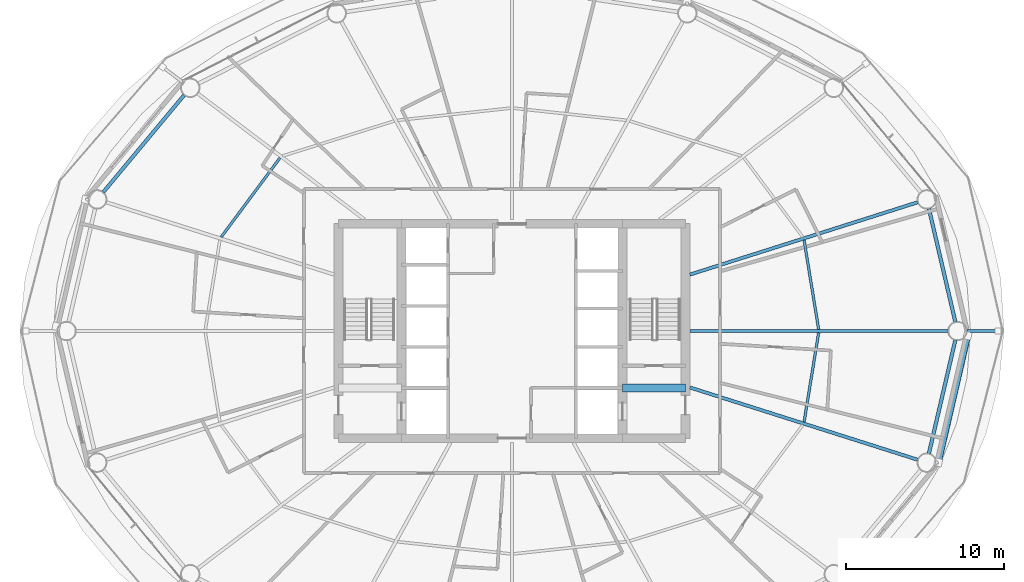
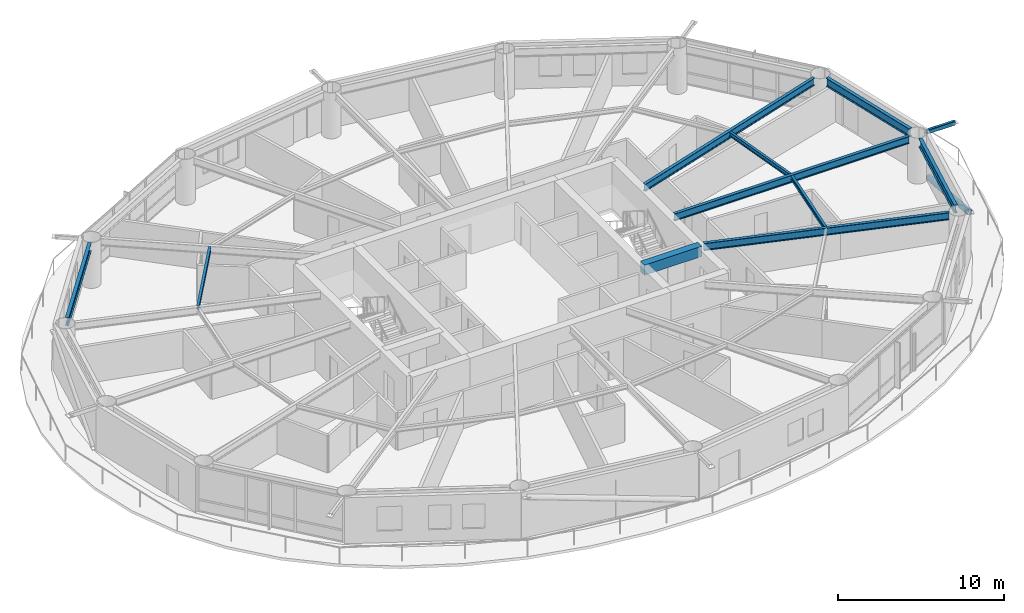
# One storey, part 7 of 24: 10 beams, 2 members.
"""IFC4 building model written with IfcOpenShell, lengths in metres."""

from ifc_helpers import new_model, si_unit, direction, frame, origin, origin_2d, place, context, subcontext, project, spatial, rectangle, hollow_rectangle, hollow_circle, i_section, extrude, material, material_profile, profile_set, type_object, element, save


model = new_model("IFC4")

# Units and contexts
model_context = context("Model", 3, precision=1e-05, world=origin(), true_north=direction((0.0, 1.0)))
body_context = subcontext(model_context, "Body", "Model", "MODEL_VIEW")
ifc_project = project(units=[si_unit("LENGTHUNIT", "METRE"), si_unit("AREAUNIT", "SQUARE_METRE"), si_unit("VOLUMEUNIT", "CUBIC_METRE"), si_unit("PLANEANGLEUNIT", "RADIAN"), si_unit("MASSUNIT", "GRAM", prefix="KILO")], contexts=[model_context])

# Site, building, storey
site_placement = place(None, origin())
site = spatial("IfcSite", under=ifc_project, at=site_placement, CompositionType="ELEMENT")
building_placement = place(site_placement, origin())
building = spatial("IfcBuilding", under=site, at=building_placement, Name="Sarneth Arch Tower", CompositionType="ELEMENT")
storey_placement = place(building_placement, frame((0.0, 0.0, 102.0)))
storey = spatial("IfcBuildingStorey", under=building, at=storey_placement, Name="L25", CompositionType="ELEMENT", Elevation=102.0)

# Beams
ifc_material_1 = material(Name="Steel S355", Category="steel")
ifc_material_profile_1 = material_profile(ifc_material_1, i_section(OverallWidth=0.1669921875, OverallDepth=0.31689453125, WebThickness=0.007568359375, FlangeThickness=0.01318359375, FilletRadius=0.012939453125, at=origin_2d()), Name="W310x52")
ifc_profile_set_1 = profile_set([ifc_material_profile_1], Name="Steel S355")
beam_type_1 = type_object("IfcBeamType", Name="BM-JOIST-310B", PredefinedType="JOIST", material=ifc_profile_set_1)
beam_1_placement = place(storey_placement, frame((67.438720703125, 42.10400390625, 3.221435546875), z_axis=(-0.16118181609, 0.986924729735, 0.0), x_axis=(-0.986924729735, -0.16118181609, 0.0)))
element("IfcBeam", 1, at=beam_1_placement, inside=storey, type_object=beam_type_1, Name="L25 Secondary floor joist 01", PredefinedType="JOIST", context=body_context, shape_type="SweptSolid", body=[
    extrude(i_section(OverallWidth=0.1669921875, OverallDepth=0.31689453125, WebThickness=0.007568359375, FlangeThickness=0.01318359375, FilletRadius=0.012939453125, at=origin_2d()), origin(), (0.0, 0.0, 1.0), 5.736083984375),
])
beam_2_placement = place(storey_placement, frame((33.296630859375, 52.9794921875, 3.221435546875), z_axis=(-0.596098474255, -0.802911333206, 0.0), x_axis=(0.802911333206, -0.596098474255, 0.0)))
element("IfcBeam", 2, at=beam_2_placement, inside=storey, type_object=beam_type_1, Name="L25 Secondary floor joist 07", PredefinedType="JOIST", context=body_context, shape_type="SweptSolid", body=[
    extrude(i_section(OverallWidth=0.1669921875, OverallDepth=0.31689453125, WebThickness=0.007568359375, FlangeThickness=0.01318359375, FilletRadius=0.012939453125, at=origin_2d()), origin(), (0.0, 0.0, 1.0), 6.259033203125),
])
beam_3_placement = place(storey_placement, frame((66.51416015625, 36.23486328125, 3.221435546875), z_axis=(0.16118181609, 0.986924729735, 0.0), x_axis=(-0.986924729735, 0.16118181609, 0.0)))
element("IfcBeam", 3, at=beam_3_placement, inside=storey, type_object=beam_type_1, Name="L25 Secondary floor joist 16", PredefinedType="JOIST", context=body_context, shape_type="SweptSolid", body=[
    extrude(i_section(OverallWidth=0.1669921875, OverallDepth=0.31689453125, WebThickness=0.007568359375, FlangeThickness=0.01318359375, FilletRadius=0.012939453125, at=origin_2d()), origin(), (0.0, 0.0, 1.0), 5.736083984375),
])
ifc_material_2 = material(Name="Concrete C50/60", Category="concrete")
ifc_material_profile_2 = material_profile(ifc_material_2, rectangle(XDim=0.5, YDim=0.75, at=origin_2d()), Name="RC-500x750")
ifc_profile_set_2 = profile_set([ifc_material_profile_2], Name="Concrete C50/60")
beam_type_2 = type_object("IfcBeamType", Name="BM-LINTEL-RC", PredefinedType="LINTEL", material=ifc_profile_set_2)
beam_4_placement = place(storey_placement, frame((55.0, 38.39990234375, 3.0048828125), z_axis=(1.0, 0.0, 0.0), x_axis=(0.0, 1.0, 0.0)))
element("IfcBeam", 4, at=beam_4_placement, inside=storey, type_object=beam_type_2, Name="L25 Core coupling lintel E", PredefinedType="LINTEL", context=body_context, shape_type="SweptSolid", body=[
    extrude(rectangle(XDim=0.5, YDim=0.75, at=origin_2d()), origin(), (0.0, 0.0, 1.0), 4.0),
])
ifc_material_3 = material(Name="Steel S355", Category="steel")
ifc_material_profile_3 = material_profile(ifc_material_3, i_section(OverallWidth=0.2109375, OverallDepth=0.5390625, WebThickness=0.01171875, FlangeThickness=0.018798828125, FilletRadius=0.01806640625, at=origin_2d()), Name="W530x109")
ifc_profile_set_3 = profile_set([ifc_material_profile_3], Name="Steel S355")
beam_type_3 = type_object("IfcBeamType", Name="BM-RAD-530B", PredefinedType="BEAM", material=ifc_profile_set_3)
beam_5_placement = place(storey_placement, frame((59.27490234375, 42.0, 3.110595703125), z_axis=(1.0, 0.0, 0.0), x_axis=(0.0, 1.0, 0.0)))
element("IfcBeam", 5, at=beam_5_placement, inside=storey, type_object=beam_type_3, Name="L25 Radial floor girder 01", PredefinedType="BEAM", context=body_context, shape_type="SweptSolid", body=[
    extrude(i_section(OverallWidth=0.2109375, OverallDepth=0.5390625, WebThickness=0.01171875, FlangeThickness=0.018798828125, FilletRadius=0.01806640625, at=origin_2d()), origin(), (0.0, 0.0, 1.0), 16.36181640625),
])
for number, where, z_axis, x_axis, name in (
    (6, (59.27490234375, 45.57763671875, 3.110595703125), (0.953162461637, 0.302458793435, 0.0), (-0.302458793435, 0.953162461637, 0.0), "L25 Radial floor girder 02"),
    (7, (59.27490234375, 38.42236328125, 3.110595703125), (0.953162461637, -0.302458793435, 0.0), (0.302458793435, 0.953162461637, 0.0), "L25 Radial floor girder 16"),
):
    element("IfcBeam", number, at=place(storey_placement, frame(where, z_axis=z_axis, x_axis=x_axis)), inside=storey, type_object=beam_type_3, Name=name, PredefinedType="BEAM", context=body_context, shape_type="SweptSolid", body=[
        extrude(i_section(OverallWidth=0.2109375, OverallDepth=0.5390625, WebThickness=0.01171875, FlangeThickness=0.018798828125, FilletRadius=0.01806640625, at=origin_2d()), origin(), (0.0, 0.0, 1.0), 15.154052734375),
    ])
ifc_material_4 = material(Name="Steel S355", Category="steel")
ifc_material_profile_4 = material_profile(ifc_material_4, i_section(OverallWidth=0.22900390625, OverallDepth=0.612060546875, WebThickness=0.011962890625, FlangeThickness=0.01953125, FilletRadius=0.01904296875, at=origin_2d()), Name="W610x125")
ifc_profile_set_4 = profile_set([ifc_material_profile_4], Name="Steel S355")
beam_type_4 = type_object("IfcBeamType", Name="BM-SPAN-610C", PredefinedType="SPANDREL", material=ifc_profile_set_4)
beam_6_placement = place(storey_placement, frame((76.100341796875, 42.584228515625, 3.073974609375), z_axis=(-0.227088175252, 0.973874201661, 0.0), x_axis=(-0.973874201661, -0.227088175252, 0.0)))
element("IfcBeam", 8, at=beam_6_placement, inside=storey, type_object=beam_type_4, Name="L25 Perimeter spandrel beam 01", PredefinedType="SPANDREL", context=body_context, shape_type="SweptSolid", body=[
    extrude(i_section(OverallWidth=0.22900390625, OverallDepth=0.612060546875, WebThickness=0.011962890625, FlangeThickness=0.01953125, FilletRadius=0.01904296875, at=origin_2d()), origin(), (0.0, 0.0, 1.0), 7.366455078125),
])
beam_7_placement = place(storey_placement, frame((27.21826171875, 56.9541015625, 3.073974609375), z_axis=(-0.640163403463, -0.768238775946, 0.0), x_axis=(0.768238775946, -0.640163403463, 0.0)))
element("IfcBeam", 9, at=beam_7_placement, inside=storey, type_object=beam_type_4, Name="L25 Perimeter spandrel beam 07", PredefinedType="SPANDREL", context=body_context, shape_type="SweptSolid", body=[
    extrude(i_section(OverallWidth=0.22900390625, OverallDepth=0.612060546875, WebThickness=0.011962890625, FlangeThickness=0.01953125, FilletRadius=0.01904296875, at=origin_2d()), origin(), (0.0, 0.0, 1.0), 8.006103515625),
])
beam_8_placement = place(storey_placement, frame((74.427490234375, 34.24169921875, 3.073974609375), z_axis=(0.227088175252, 0.973874201661, 0.0), x_axis=(-0.973874201661, 0.227088175252, 0.0)))
element("IfcBeam", 10, at=beam_8_placement, inside=storey, type_object=beam_type_4, Name="L25 Perimeter spandrel beam 16", PredefinedType="SPANDREL", context=body_context, shape_type="SweptSolid", body=[
    extrude(i_section(OverallWidth=0.22900390625, OverallDepth=0.612060546875, WebThickness=0.011962890625, FlangeThickness=0.01953125, FilletRadius=0.01904296875, at=origin_2d()), origin(), (0.0, 0.0, 1.0), 7.366455078125),
])

# Members
ifc_material_5 = material(Name="Steel S355", Category="steel")
ifc_material_profile_5 = material_profile(ifc_material_5, hollow_rectangle(XDim=0.199951171875, YDim=0.300048828125, WallThickness=0.012451171875, InnerFilletRadius=0.018798828125, OuterFilletRadius=0.03125, at=origin_2d()), Name="RHS300x200x12.5")
ifc_profile_set_5 = profile_set([ifc_material_profile_5], Name="Steel S355")
member_type_1 = type_object("IfcMemberType", Name="MEM-CANT-STRUT", PredefinedType="STRUT", material=ifc_profile_set_5)
member_1_placement = place(storey_placement, frame((76.836669921875, 42.0, 3.219970703125), z_axis=(1.0, 0.0, 0.0), x_axis=(0.0, 1.0, 0.0)))
element("IfcMember", 11, at=member_1_placement, inside=storey, type_object=member_type_1, Name="L25 Balcony cantilever bracket 01", PredefinedType="STRUT", context=body_context, shape_type="SweptSolid", body=[
    extrude(hollow_rectangle(XDim=0.199951171875, YDim=0.300048828125, WallThickness=0.012451171875, InnerFilletRadius=0.018798828125, OuterFilletRadius=0.03125, at=origin_2d()), origin(), (0.0, 0.0, 1.0), 1.979248046875),
])
ifc_material_6 = material(Name="Steel S355", Category="steel")
ifc_material_profile_6 = material_profile(ifc_material_6, hollow_circle(Radius=0.202880859375, WallThickness=0.01611328125, at=origin_2d()), Name="CHS406x16")
ifc_profile_set_6 = profile_set([ifc_material_profile_6], Name="Steel S355")
member_type_2 = type_object("IfcMemberType", Name="MEM-DIAG-BR2", PredefinedType="BRACE", material=ifc_profile_set_6)
member_2_placement = place(storey_placement, frame((76.878662109375, 41.707763671875, 0.02001953125), z_axis=(-0.211851767223, -0.915872886243, 0.341021531532), x_axis=(0.974275349464, -0.225360918143, 0.0)))
element("IfcMember", 12, at=member_2_placement, inside=storey, type_object=member_type_2, Name="L25 Perimeter frame diagonal 16", PredefinedType="BRACE", context=body_context, shape_type="SweptSolid", body=[
    extrude(hollow_circle(Radius=0.202880859375, WallThickness=0.01611328125, at=origin_2d()), origin(), (0.0, 0.0, 1.0), 8.775634765625),
])

save(model, "model.ifc")
